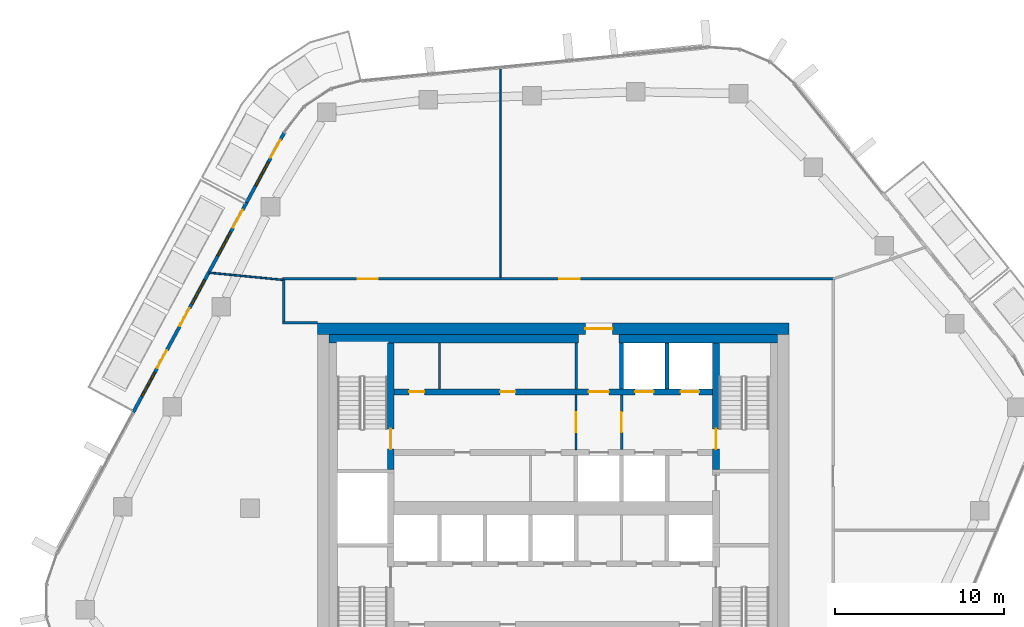
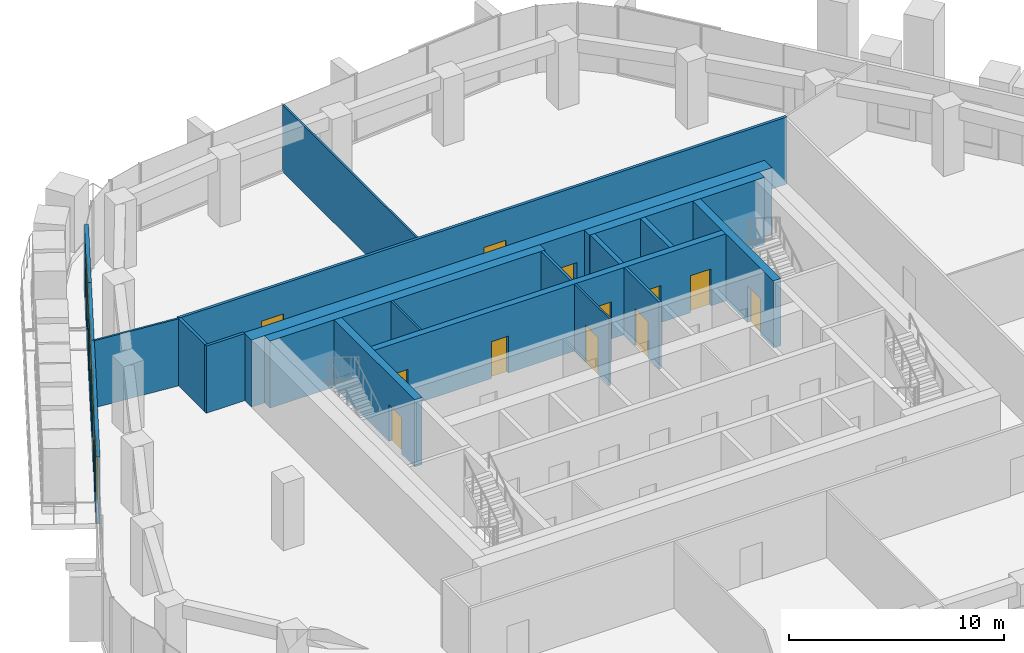
# One storey, part 13 of 20: 19 walls, 16 doors, 4 windows, 20 openings.
"""IFC4 building model written with IfcOpenShell, lengths in metres."""

from ifc_helpers import new_model, si_unit, direction, frame, frame_2d, origin, place, context, subcontext, project, spatial, rectangle, extrude, material, layer, layer_set, type_object, element, fill, save


model = new_model("IFC4")

# Units and contexts
model_context = context("Model", 3, precision=1e-05, world=origin(), true_north=direction((0.0, 1.0)))
body_context = subcontext(model_context, "Body", "Model", "MODEL_VIEW")
ifc_project = project(units=[si_unit("LENGTHUNIT", "METRE"), si_unit("AREAUNIT", "SQUARE_METRE"), si_unit("VOLUMEUNIT", "CUBIC_METRE"), si_unit("PLANEANGLEUNIT", "RADIAN"), si_unit("MASSUNIT", "GRAM", prefix="KILO")], contexts=[model_context])

# Site, building, storey
site_placement = place(None, origin())
site = spatial("IfcSite", under=ifc_project, at=site_placement, CompositionType="ELEMENT")
building_placement = place(site_placement, origin())
building = spatial("IfcBuilding", under=site, at=building_placement, Name="Dongbaek Canopy Tower", CompositionType="ELEMENT")
storey_placement = place(building_placement, frame((0.0, 0.0, 262.199951171875)))
storey = spatial("IfcBuildingStorey", under=building, at=storey_placement, Name="L55", CompositionType="ELEMENT", Elevation=262.199951171875)

# Wall, openings, doors
ifc_material_1 = material(Name="Concrete C60/75", Category="concrete")
ifc_layer_1 = layer(ifc_material_1, 0.35009765625)
ifc_layer_set_1 = layer_set([ifc_layer_1], Name="Core lobby wall 350 Concrete C60/75")
wall_type_1 = type_object("IfcWallType", Name="Core lobby wall 350 Concrete C60/75", PredefinedType="SHEAR", material=ifc_layer_set_1)
wall_1_placement = place(storey_placement, frame((-9.449951171875, 6.89990234375, 0.0), z_axis=(0.0, 0.0, 1.0), x_axis=(1.0, 0.0, 0.0)))
wall_1 = element("IfcWall", 1, at=wall_1_placement, inside=storey, type_object=wall_type_1, Name="Core wall", PredefinedType="SHEAR", context=body_context, shape_type="SweptSolid", body=[
    extrude(rectangle(XDim=18.89990234375, YDim=0.35009765625, at=frame_2d((9.449951171875, 0.0))), origin(), (0.0, 0.0, 1.0), 3.820068359375),
])
opening_1_placement = place(wall_1_placement, frame((11.550048828125, 0.0, 0.0)))
opening_1 = element("IfcOpeningElement", 2, at=opening_1_placement, cuts=wall_1, Name="Opening L55-D010", PredefinedType="OPENING", context=body_context, shape_type="SweptSolid", body=[
    extrude(rectangle(XDim=1.199951171875, YDim=2.10009765625, at=frame_2d((0.60009765625, 1.050048828125))), frame((0.0, 0.18505859375, 0.0), z_axis=(0.0, -1.0, 0.0), x_axis=(1.0, 0.0, 0.0)), (0.0, 0.0, 1.0), 0.3701171875),
])
opening_2_placement = place(wall_1_placement, frame((14.300048828125, 0.0, 0.0)))
opening_2 = element("IfcOpeningElement", 3, at=opening_2_placement, cuts=wall_1, Name="Opening L55-D011", PredefinedType="OPENING", context=body_context, shape_type="SweptSolid", body=[
    extrude(rectangle(XDim=1.10009765625, YDim=2.10009765625, at=frame_2d((0.550048828125, 1.050048828125))), frame((0.0, 0.18505859375, 0.0), z_axis=(0.0, -1.0, 0.0), x_axis=(1.0, 0.0, 0.0)), (0.0, 0.0, 1.0), 0.3701171875),
])
opening_3_placement = place(wall_1_placement, frame((17.0, 0.0, 0.0)))
opening_3 = element("IfcOpeningElement", 4, at=opening_3_placement, cuts=wall_1, Name="Opening L55-D012", PredefinedType="OPENING", context=body_context, shape_type="SweptSolid", body=[
    extrude(rectangle(XDim=1.10009765625, YDim=2.10009765625, at=frame_2d((0.550048828125, 1.050048828125))), frame((0.0, 0.18505859375, 0.0), z_axis=(0.0, -1.0, 0.0), x_axis=(1.0, 0.0, 0.0)), (0.0, 0.0, 1.0), 0.3701171875),
])
opening_4_placement = place(wall_1_placement, frame((0.89990234375, 0.0, 0.0)))
opening_4 = element("IfcOpeningElement", 5, at=opening_4_placement, cuts=wall_1, Name="Opening L55-D023", PredefinedType="OPENING", context=body_context, shape_type="SweptSolid", body=[
    extrude(rectangle(XDim=0.89990234375, YDim=2.10009765625, at=frame_2d((0.449951171875, 1.050048828125))), frame((0.0, 0.18505859375, 0.0), z_axis=(0.0, -1.0, 0.0), x_axis=(1.0, 0.0, 0.0)), (0.0, 0.0, 1.0), 0.3701171875),
])
opening_5_placement = place(wall_1_placement, frame((6.300048828125, 0.0, 0.0)))
opening_5 = element("IfcOpeningElement", 6, at=opening_5_placement, cuts=wall_1, Name="Opening L55-D024", PredefinedType="OPENING", context=body_context, shape_type="SweptSolid", body=[
    extrude(rectangle(XDim=0.89990234375, YDim=2.10009765625, at=frame_2d((0.449951171875, 1.050048828125))), frame((0.0, 0.18505859375, 0.0), z_axis=(0.0, -1.0, 0.0), x_axis=(1.0, 0.0, 0.0)), (0.0, 0.0, 1.0), 0.3701171875),
])
ifc_material_2 = material(Name="Steel", Category="steel")
door_type_1 = type_object("IfcDoorType", Name="Core room door 900 x 2100", OperationType="SINGLE_SWING_LEFT", PredefinedType="DOOR", material=ifc_material_2)
door_1_placement = place(opening_4_placement, origin())
door_1 = element("IfcDoor", 7, at=door_1_placement, inside=storey, type_object=door_type_1, Name="Door L55-D023", OperationType="SINGLE_SWING_RIGHT", OverallHeight=2.10009765625, OverallWidth=0.89990234375, PredefinedType="DOOR", context=body_context, shape_type="SweptSolid", body=[
    extrude(rectangle(XDim=0.89990234375, YDim=2.10009765625, at=frame_2d((0.449951171875, 1.050048828125))), frame((0.0, 0.02490234375, 0.0), z_axis=(0.0, -1.0, 0.0), x_axis=(1.0, 0.0, 0.0)), (0.0, 0.0, 1.0), 0.050048828125),
])
fill(opening_4, door_1)
door_2_placement = place(opening_5_placement, origin())
door_2 = element("IfcDoor", 8, at=door_2_placement, inside=storey, type_object=door_type_1, Name="Door L55-D024", OperationType="SINGLE_SWING_LEFT", OverallHeight=2.10009765625, OverallWidth=0.89990234375, PredefinedType="DOOR", context=body_context, shape_type="SweptSolid", body=[
    extrude(rectangle(XDim=0.89990234375, YDim=2.10009765625, at=frame_2d((0.449951171875, 1.050048828125))), frame((0.0, 0.02490234375, 0.0), z_axis=(0.0, -1.0, 0.0), x_axis=(1.0, 0.0, 0.0)), (0.0, 0.0, 1.0), 0.050048828125),
])
fill(opening_5, door_2)
ifc_material_3 = material(Name="Steel", Category="steel")
door_type_2 = type_object("IfcDoorType", Name="Fire lobby door 1200 x 2100", OperationType="SINGLE_SWING_LEFT", PredefinedType="DOOR", material=ifc_material_3)
door_3_placement = place(opening_1_placement, origin())
door_3 = element("IfcDoor", 9, at=door_3_placement, inside=storey, type_object=door_type_2, Name="Door L55-D010", OperationType="SINGLE_SWING_LEFT", OverallHeight=2.10009765625, OverallWidth=1.199951171875, PredefinedType="DOOR", context=body_context, shape_type="SweptSolid", body=[
    extrude(rectangle(XDim=1.199951171875, YDim=2.10009765625, at=frame_2d((0.60009765625, 1.050048828125))), frame((0.0, 0.02490234375, 0.0), z_axis=(0.0, -1.0, 0.0), x_axis=(1.0, 0.0, 0.0)), (0.0, 0.0, 1.0), 0.050048828125),
])
fill(opening_1, door_3)
ifc_material_4 = material(Name="Stainless steel", Category="steel")
door_type_3 = type_object("IfcDoorType", Name="Lift landing door 1100 x 2100", OperationType="DOUBLE_DOOR_SLIDING", PredefinedType="DOOR", material=ifc_material_4)
door_4_placement = place(opening_2_placement, origin())
door_4 = element("IfcDoor", 10, at=door_4_placement, inside=storey, type_object=door_type_3, Name="Landing door FF1", OperationType="DOUBLE_DOOR_SLIDING", OverallHeight=2.10009765625, OverallWidth=1.10009765625, PredefinedType="DOOR", context=body_context, shape_type="SweptSolid", body=[
    extrude(rectangle(XDim=1.10009765625, YDim=2.10009765625, at=frame_2d((0.550048828125, 1.050048828125))), frame((0.0, 0.02490234375, 0.0), z_axis=(0.0, -1.0, 0.0), x_axis=(1.0, 0.0, 0.0)), (0.0, 0.0, 1.0), 0.050048828125),
])
fill(opening_2, door_4)
door_5_placement = place(opening_3_placement, origin())
door_5 = element("IfcDoor", 11, at=door_5_placement, inside=storey, type_object=door_type_3, Name="Landing door FF2", OperationType="DOUBLE_DOOR_SLIDING", OverallHeight=2.10009765625, OverallWidth=1.10009765625, PredefinedType="DOOR", context=body_context, shape_type="SweptSolid", body=[
    extrude(rectangle(XDim=1.10009765625, YDim=2.10009765625, at=frame_2d((0.550048828125, 1.050048828125))), frame((0.0, 0.02490234375, 0.0), z_axis=(0.0, -1.0, 0.0), x_axis=(1.0, 0.0, 0.0)), (0.0, 0.0, 1.0), 0.050048828125),
])
fill(opening_3, door_5)

# Wall, opening, door
ifc_material_5 = material(Name="Concrete C70/85", Category="concrete")
ifc_layer_2 = layer(ifc_material_5, 0.699951171875)
ifc_layer_set_2 = layer_set([ifc_layer_2], Name="Core outer wall 700 Concrete C70/85")
wall_type_2 = type_object("IfcWallType", Name="Core outer wall 700 Concrete C70/85", PredefinedType="SHEAR", material=ifc_layer_set_2)
wall_2_placement = place(storey_placement, frame((-14.0, 10.64990234375, 0.0), z_axis=(0.0, 0.0, 1.0), x_axis=(1.0, 0.0, 0.0)))
wall_2 = element("IfcWall", 12, at=wall_2_placement, inside=storey, type_object=wall_type_2, Name="Core wall", PredefinedType="SHEAR", context=body_context, shape_type="SweptSolid", body=[
    extrude(rectangle(XDim=28.0, YDim=0.699951171875, at=frame_2d((14.0, 0.0))), origin(), (0.0, 0.0, 1.0), 3.820068359375),
])
opening_6_placement = place(wall_2_placement, frame((15.89990234375, 0.0, 0.0)))
opening_6 = element("IfcOpeningElement", 13, at=opening_6_placement, cuts=wall_2, Name="Opening L55-D009", PredefinedType="OPENING", context=body_context, shape_type="SweptSolid", body=[
    extrude(rectangle(XDim=1.60009765625, YDim=2.10009765625, at=frame_2d((0.800048828125, 1.050048828125))), frame((0.0, 0.35986328125, 0.0), z_axis=(0.0, -1.0, 0.0), x_axis=(1.0, 0.0, 0.0)), (0.0, 0.0, 1.0), 0.719970703125),
])
ifc_material_6 = material(Name="Steel", Category="steel")
door_type_4 = type_object("IfcDoorType", Name="Core exit door 1600 x 2100", OperationType="DOUBLE_DOOR_SINGLE_SWING", PredefinedType="DOOR", material=ifc_material_6)
door_6_placement = place(opening_6_placement, origin())
door_6 = element("IfcDoor", 14, at=door_6_placement, inside=storey, type_object=door_type_4, Name="Core exit door", OperationType="DOUBLE_DOOR_SINGLE_SWING", OverallHeight=2.10009765625, OverallWidth=1.60009765625, PredefinedType="DOOR", context=body_context, shape_type="SweptSolid", body=[
    extrude(rectangle(XDim=1.60009765625, YDim=2.10009765625, at=frame_2d((0.800048828125, 1.050048828125))), frame((0.0, 0.02490234375, 0.0), z_axis=(0.0, -1.0, 0.0), x_axis=(1.0, 0.0, 0.0)), (0.0, 0.0, 1.0), 0.050048828125),
])
fill(opening_6, door_6)

# Walls
ifc_material_7 = material(Name="Concrete C60/75", Category="concrete")
ifc_layer_3 = layer(ifc_material_7, 0.5)
ifc_layer_set_3 = layer_set([ifc_layer_3], Name="Core wall lining 500 Concrete C60/75")
wall_type_3 = type_object("IfcWallType", Name="Core wall lining 500 Concrete C60/75", PredefinedType="SHEAR", material=ifc_layer_set_3)
wall_3_placement = place(storey_placement, frame((-13.300048828125, 10.050048828125, 0.0), z_axis=(0.0, 0.0, 1.0), x_axis=(1.0, 0.0, 0.0)))
element("IfcWall", 15, at=wall_3_placement, inside=storey, type_object=wall_type_3, Name="Core wall lining", PredefinedType="SHEAR", context=body_context, shape_type="SweptSolid", body=[
    extrude(rectangle(XDim=14.800048828125, YDim=0.5, at=frame_2d((7.39990234375, 0.0))), origin(), (0.0, 0.0, 1.0), 3.820068359375),
])
wall_4_placement = place(storey_placement, frame((3.89990234375, 10.050048828125, 0.0), z_axis=(0.0, 0.0, 1.0), x_axis=(1.0, 0.0, 0.0)))
element("IfcWall", 16, at=wall_4_placement, inside=storey, type_object=wall_type_3, Name="Core wall lining", PredefinedType="SHEAR", context=body_context, shape_type="SweptSolid", body=[
    extrude(rectangle(XDim=9.400146484375, YDim=0.5, at=frame_2d((4.7001953125, 0.0))), origin(), (0.0, 0.0, 1.0), 3.820068359375),
])
ifc_material_8 = material(Name="Gypsum board partition, steel stud, 2 x 15 mm fire board", Category="steel")
ifc_layer_4 = layer(ifc_material_8, 0.14990234375)
ifc_layer_set_4 = layer_set([ifc_layer_4], Name="Fire-rated partition 150 gypsum board")
wall_type_4 = type_object("IfcWallType", Name="Fire-rated partition 150 gypsum board", PredefinedType="PARTITIONING", material=ifc_layer_set_4)
wall_5_placement = place(storey_placement, frame((-16.074951171875, 10.9990234375, 0.0), z_axis=(0.0, 0.0, 1.0), x_axis=(1.0, 0.0, 0.0)))
element("IfcWall", 17, at=wall_5_placement, inside=storey, type_object=wall_type_4, Name="Corridor partition", PredefinedType="PARTITIONING", context=body_context, shape_type="SweptSolid", body=[
    extrude(rectangle(XDim=2.074951171875, YDim=0.14990234375, at=frame_2d((1.03759765625, 0.0))), origin(), (0.0, 0.0, 1.0), 3.820068359375),
])

# Wall, openings, doors
wall_6_placement = place(storey_placement, frame((-16.074951171875, 13.60009765625, 0.0), z_axis=(0.0, 0.0, 1.0), x_axis=(1.0, 0.0, 0.0)))
wall_6 = element("IfcWall", 18, at=wall_6_placement, inside=storey, type_object=wall_type_4, Name="Corridor partition", PredefinedType="PARTITIONING", context=body_context, shape_type="SweptSolid", body=[
    extrude(rectangle(XDim=32.75, YDim=0.14990234375, at=frame_2d((16.375, 0.0))), origin(), (0.0, 0.0, 1.0), 3.820068359375),
])
opening_7_placement = place(wall_6_placement, frame((16.43017578125, 0.0, 0.0)))
opening_7 = element("IfcOpeningElement", 19, at=opening_7_placement, cuts=wall_6, Name="Opening L55-D006", PredefinedType="OPENING", context=body_context, shape_type="SweptSolid", body=[
    extrude(rectangle(XDim=1.199951171875, YDim=2.10009765625, at=frame_2d((0.60009765625, 1.050048828125))), frame((0.0, 0.0849609375, 0.0), z_axis=(0.0, -1.0, 0.0), x_axis=(1.0, 0.0, 0.0)), (0.0, 0.0, 1.0), 0.169921875),
])
opening_8_placement = place(wall_6_placement, frame((4.465087890625, 0.0, 0.0)))
opening_8 = element("IfcOpeningElement", 20, at=opening_8_placement, cuts=wall_6, Name="Opening L55-D007", PredefinedType="OPENING", context=body_context, shape_type="SweptSolid", body=[
    extrude(rectangle(XDim=1.199951171875, YDim=2.10009765625, at=frame_2d((0.60009765625, 1.050048828125))), frame((0.0, 0.0849609375, 0.0), z_axis=(0.0, -1.0, 0.0), x_axis=(1.0, 0.0, 0.0)), (0.0, 0.0, 1.0), 0.169921875),
])
ifc_material_9 = material(Name="Timber veneered door leaf", Category="wood")
door_type_5 = type_object("IfcDoorType", Name="Room door 1200 x 2100", OperationType="SINGLE_SWING_LEFT", PredefinedType="DOOR", material=ifc_material_9)
door_7_placement = place(opening_7_placement, origin())
door_7 = element("IfcDoor", 21, at=door_7_placement, inside=storey, type_object=door_type_5, Name="Door L55-D006", OperationType="SINGLE_SWING_LEFT", OverallHeight=2.10009765625, OverallWidth=1.199951171875, PredefinedType="DOOR", context=body_context, shape_type="SweptSolid", body=[
    extrude(rectangle(XDim=1.199951171875, YDim=2.10009765625, at=frame_2d((0.60009765625, 1.050048828125))), frame((0.0, 0.02490234375, 0.0), z_axis=(0.0, -1.0, 0.0), x_axis=(1.0, 0.0, 0.0)), (0.0, 0.0, 1.0), 0.050048828125),
])
fill(opening_7, door_7)
door_8_placement = place(opening_8_placement, origin())
door_8 = element("IfcDoor", 22, at=door_8_placement, inside=storey, type_object=door_type_5, Name="Door L55-D007", OperationType="SINGLE_SWING_RIGHT", OverallHeight=2.10009765625, OverallWidth=1.199951171875, PredefinedType="DOOR", context=body_context, shape_type="SweptSolid", body=[
    extrude(rectangle(XDim=1.199951171875, YDim=2.10009765625, at=frame_2d((0.60009765625, 1.050048828125))), frame((0.0, 0.02490234375, 0.0), z_axis=(0.0, -1.0, 0.0), x_axis=(1.0, 0.0, 0.0)), (0.0, 0.0, 1.0), 0.050048828125),
])
fill(opening_8, door_8)

# Wall
wall_7_placement = place(storey_placement, frame((-16.0, 11.073974609375, 0.0), z_axis=(0.0, 0.0, 1.0), x_axis=(0.0, 1.0, 0.0)))
element("IfcWall", 23, at=wall_7_placement, inside=storey, type_object=wall_type_4, Name="Corridor partition", PredefinedType="PARTITIONING", context=body_context, shape_type="SweptSolid", body=[
    extrude(rectangle(XDim=2.450927734375, YDim=0.14990234375, at=frame_2d((1.2255859375, 0.0))), origin(), (0.0, 0.0, 1.0), 3.820068359375),
])

# Wall, opening, door
wall_8_placement = place(storey_placement, frame((4.050048828125, 6.72509765625, 0.0), z_axis=(0.0, 0.0, 1.0), x_axis=(0.0, -1.0, 0.0)))
wall_8 = element("IfcWall", 24, at=wall_8_placement, inside=storey, type_object=wall_type_4, Name="Fire lobby partition", PredefinedType="PARTITIONING", context=body_context, shape_type="SweptSolid", body=[
    extrude(rectangle(XDim=3.25, YDim=0.14990234375, at=frame_2d((1.625, 0.0))), origin(), (0.0, 0.0, 1.0), 3.820068359375),
])
opening_9_placement = place(wall_8_placement, frame((1.02490234375, 0.0, 0.0)))
opening_9 = element("IfcOpeningElement", 25, at=opening_9_placement, cuts=wall_8, Name="Opening L55-D036", PredefinedType="OPENING", context=body_context, shape_type="SweptSolid", body=[
    extrude(rectangle(XDim=1.199951171875, YDim=2.10009765625, at=frame_2d((0.60009765625, 1.050048828125))), frame((0.0, 0.0849609375, 0.0), z_axis=(0.0, -1.0, 0.0), x_axis=(1.0, 0.0, 0.0)), (0.0, 0.0, 1.0), 0.169921875),
])
door_9_placement = place(opening_9_placement, origin())
door_9 = element("IfcDoor", 26, at=door_9_placement, inside=storey, type_object=door_type_2, Name="Door L55-D036", OperationType="SINGLE_SWING_RIGHT", OverallHeight=2.10009765625, OverallWidth=1.199951171875, PredefinedType="DOOR", context=body_context, shape_type="SweptSolid", body=[
    extrude(rectangle(XDim=1.199951171875, YDim=2.10009765625, at=frame_2d((0.60009765625, 1.050048828125))), frame((0.0, 0.02490234375, 0.0), z_axis=(0.0, -1.0, 0.0), x_axis=(1.0, 0.0, 0.0)), (0.0, 0.0, 1.0), 0.050048828125),
])
fill(opening_9, door_9)

# Walls
wall_9_placement = place(storey_placement, frame((1.35009765625, 7.074951171875, 0.0), z_axis=(0.0, 0.0, 1.0), x_axis=(0.0, 1.0, 0.0)))
element("IfcWall", 27, at=wall_9_placement, inside=storey, type_object=wall_type_4, Name="Fire lobby partition", PredefinedType="PARTITIONING", context=body_context, shape_type="SweptSolid", body=[
    extrude(rectangle(XDim=2.72509765625, YDim=0.14990234375, at=frame_2d((1.362548828125, 0.0))), origin(), (0.0, 0.0, 1.0), 3.820068359375),
])
ifc_material_10 = material(Name="Concrete C40/50", Category="concrete")
ifc_layer_5 = layer(ifc_material_10, 0.25)
ifc_layer_set_5 = layer_set([ifc_layer_5], Name="Lift shaft wall 250 Concrete C40/50")
wall_type_5 = type_object("IfcWallType", Name="Lift shaft wall 250 Concrete C40/50", PredefinedType="SOLIDWALL", material=ifc_layer_set_5)
for number, where, z_axis, x_axis, name in (
    (28, (6.75, 7.074951171875, 0.0), (0.0, 0.0, 1.0), (0.0, 1.0, 0.0), "Lift shaft wall"),
    (29, (4.050048828125, 7.074951171875, 0.0), (0.0, 0.0, 1.0), (0.0, 1.0, 0.0), "Lift shaft wall"),
):
    element("IfcWall", number, at=place(storey_placement, frame(where, z_axis=z_axis, x_axis=x_axis)), inside=storey, type_object=wall_type_5, Name=name, PredefinedType="SOLIDWALL", context=body_context, shape_type="SweptSolid", body=[
        extrude(rectangle(XDim=2.72509765625, YDim=0.25, at=frame_2d((1.362548828125, 0.0))), origin(), (0.0, 0.0, 1.0), 3.820068359375),
    ])
ifc_material_11 = material(Name="Gypsum board partition, steel stud, 2 x 12.5 mm board", Category="steel")
ifc_layer_6 = layer(ifc_material_11, 0.10009765625)
ifc_layer_set_6 = layer_set([ifc_layer_6], Name="Partition 100 gypsum board")
wall_type_6 = type_object("IfcWallType", Name="Partition 100 gypsum board", PredefinedType="PARTITIONING", material=ifc_layer_set_6)
wall_10_placement = place(storey_placement, frame((-3.14111328125, 13.675048828125, 0.0), z_axis=(0.0, 0.0, 1.0), x_axis=(0.0, 1.0, 0.0)))
element("IfcWall", 30, at=wall_10_placement, inside=storey, type_object=wall_type_6, Name="Partition", PredefinedType="PARTITIONING", context=body_context, shape_type="SweptSolid", body=[
    extrude(rectangle(XDim=12.466064453125, YDim=0.10009765625, at=frame_2d((6.23291015625, 0.0))), origin(), (0.0, 0.0, 1.0), 3.820068359375),
])
wall_11_placement = place(storey_placement, frame((-20.4296875, 13.972412109375, 0.0), z_axis=(0.0, 0.0, 1.0), x_axis=(0.995312443594, -0.096711631286, 0.0)))
element("IfcWall", 31, at=wall_11_placement, inside=storey, type_object=wall_type_6, Name="Partition", PredefinedType="PARTITIONING", context=body_context, shape_type="SweptSolid", body=[
    extrude(rectangle(XDim=4.450439453125, YDim=0.10009765625, at=frame_2d((2.22509765625, 0.0))), origin(), (0.0, 0.0, 1.0), 3.820068359375),
])

# Wall, opening, door
wall_12_placement = place(storey_placement, frame((1.35009765625, 6.72509765625, 0.0), z_axis=(0.0, 0.0, 1.0), x_axis=(0.0, -1.0, 0.0)))
wall_12 = element("IfcWall", 32, at=wall_12_placement, inside=storey, type_object=wall_type_6, Name="Core partition", PredefinedType="PARTITIONING", context=body_context, shape_type="SweptSolid", body=[
    extrude(rectangle(XDim=3.25, YDim=0.10009765625, at=frame_2d((1.625, 0.0))), origin(), (0.0, 0.0, 1.0), 3.820068359375),
])
opening_10_placement = place(wall_12_placement, frame((1.02490234375, 0.0, 0.0)))
opening_10 = element("IfcOpeningElement", 33, at=opening_10_placement, cuts=wall_12, Name="Opening L55-D035", PredefinedType="OPENING", context=body_context, shape_type="SweptSolid", body=[
    extrude(rectangle(XDim=1.199951171875, YDim=2.10009765625, at=frame_2d((0.60009765625, 1.050048828125))), frame((0.0, 0.06005859375, 0.0), z_axis=(0.0, -1.0, 0.0), x_axis=(1.0, 0.0, 0.0)), (0.0, 0.0, 1.0), 0.1201171875),
])
door_10_placement = place(opening_10_placement, origin())
door_10 = element("IfcDoor", 34, at=door_10_placement, inside=storey, type_object=door_type_2, Name="Door L55-D035", OperationType="SINGLE_SWING_LEFT", OverallHeight=2.10009765625, OverallWidth=1.199951171875, PredefinedType="DOOR", context=body_context, shape_type="SweptSolid", body=[
    extrude(rectangle(XDim=1.199951171875, YDim=2.10009765625, at=frame_2d((0.60009765625, 1.050048828125))), frame((0.0, 0.02490234375, 0.0), z_axis=(0.0, -1.0, 0.0), x_axis=(1.0, 0.0, 0.0)), (0.0, 0.0, 1.0), 0.050048828125),
])
fill(opening_10, door_10)

# Wall
wall_13_placement = place(storey_placement, frame((-6.75, 7.074951171875, 0.0), z_axis=(0.0, 0.0, 1.0), x_axis=(0.0, 1.0, 0.0)))
element("IfcWall", 35, at=wall_13_placement, inside=storey, type_object=wall_type_6, Name="Core partition", PredefinedType="PARTITIONING", context=body_context, shape_type="SweptSolid", body=[
    extrude(rectangle(XDim=2.72509765625, YDim=0.10009765625, at=frame_2d((1.362548828125, 0.0))), origin(), (0.0, 0.0, 1.0), 3.820068359375),
])

# Wall, opening, door
ifc_material_12 = material(Name="Concrete C60/75", Category="concrete")
ifc_layer_7 = layer(ifc_material_12, 0.39990234375)
ifc_layer_set_7 = layer_set([ifc_layer_7], Name="Stair wall 400 Concrete C60/75")
wall_type_7 = type_object("IfcWallType", Name="Stair wall 400 Concrete C60/75", PredefinedType="SHEAR", material=ifc_layer_set_7)
wall_14_placement = place(storey_placement, frame((9.64990234375, 9.800048828125, 0.0), z_axis=(0.0, 0.0, 1.0), x_axis=(0.0, -1.0, 0.0)))
wall_14 = element("IfcWall", 36, at=wall_14_placement, inside=storey, type_object=wall_type_7, Name="Stair wall", PredefinedType="SHEAR", context=body_context, shape_type="SweptSolid", body=[
    extrude(rectangle(XDim=7.5, YDim=0.39990234375, at=frame_2d((3.75, 0.0))), origin(), (0.0, 0.0, 1.0), 3.820068359375),
])
opening_11_placement = place(wall_14_placement, frame((5.10009765625, 0.0, 0.0)))
opening_11 = element("IfcOpeningElement", 37, at=opening_11_placement, cuts=wall_14, Name="Opening L55-D031", PredefinedType="OPENING", context=body_context, shape_type="SweptSolid", body=[
    extrude(rectangle(XDim=1.199951171875, YDim=2.10009765625, at=frame_2d((0.60009765625, 1.050048828125))), frame((0.0, 0.2099609375, 0.0), z_axis=(0.0, -1.0, 0.0), x_axis=(1.0, 0.0, 0.0)), (0.0, 0.0, 1.0), 0.419921875),
])
ifc_material_13 = material(Name="Steel", Category="steel")
door_type_6 = type_object("IfcDoorType", Name="Stair door 1200 x 2100", OperationType="SINGLE_SWING_LEFT", PredefinedType="DOOR", material=ifc_material_13)
door_11_placement = place(opening_11_placement, origin())
door_11 = element("IfcDoor", 38, at=door_11_placement, inside=storey, type_object=door_type_6, Name="Stair A door", OperationType="SINGLE_SWING_LEFT", OverallHeight=2.10009765625, OverallWidth=1.199951171875, PredefinedType="DOOR", context=body_context, shape_type="SweptSolid", body=[
    extrude(rectangle(XDim=1.199951171875, YDim=2.10009765625, at=frame_2d((0.60009765625, 1.050048828125))), frame((0.0, 0.02490234375, 0.0), z_axis=(0.0, -1.0, 0.0), x_axis=(1.0, 0.0, 0.0)), (0.0, 0.0, 1.0), 0.050048828125),
])
fill(opening_11, door_11)

wall_15_placement = place(storey_placement, frame((-9.64990234375, 2.300048828125, 0.0), z_axis=(0.0, 0.0, 1.0), x_axis=(0.0, 1.0, 0.0)))
wall_15 = element("IfcWall", 39, at=wall_15_placement, inside=storey, type_object=wall_type_7, Name="Stair wall", PredefinedType="SHEAR", context=body_context, shape_type="SweptSolid", body=[
    extrude(rectangle(XDim=7.5, YDim=0.39990234375, at=frame_2d((3.75, 0.0))), origin(), (0.0, 0.0, 1.0), 3.820068359375),
])
opening_12_placement = place(wall_15_placement, frame((1.199951171875, 0.0, 0.0)))
opening_12 = element("IfcOpeningElement", 40, at=opening_12_placement, cuts=wall_15, Name="Opening L55-D032", PredefinedType="OPENING", context=body_context, shape_type="SweptSolid", body=[
    extrude(rectangle(XDim=1.199951171875, YDim=2.10009765625, at=frame_2d((0.60009765625, 1.050048828125))), frame((0.0, 0.2099609375, 0.0), z_axis=(0.0, -1.0, 0.0), x_axis=(1.0, 0.0, 0.0)), (0.0, 0.0, 1.0), 0.419921875),
])
door_12_placement = place(opening_12_placement, origin())
door_12 = element("IfcDoor", 41, at=door_12_placement, inside=storey, type_object=door_type_6, Name="Stair C door", OperationType="SINGLE_SWING_RIGHT", OverallHeight=2.10009765625, OverallWidth=1.199951171875, PredefinedType="DOOR", context=body_context, shape_type="SweptSolid", body=[
    extrude(rectangle(XDim=1.199951171875, YDim=2.10009765625, at=frame_2d((0.60009765625, 1.050048828125))), frame((0.0, 0.02490234375, 0.0), z_axis=(0.0, -1.0, 0.0), x_axis=(1.0, 0.0, 0.0)), (0.0, 0.0, 1.0), 0.050048828125),
])
fill(opening_12, door_12)

# Wall, openings, doors, windows
ifc_material_14 = material(Name="Aluminium window wall", Category="aluminium")
ifc_layer_8 = layer(ifc_material_14, 0.199951171875)
ifc_layer_set_8 = layer_set([ifc_layer_8], Name="Window wall 200")
wall_type_8 = type_object("IfcWallType", Name="Window wall 200", PredefinedType="SOLIDWALL", material=ifc_layer_set_8)
wall_16_placement = place(storey_placement, frame((-18.20361328125, 18.13623046875, 0.0), z_axis=(0.0, 0.0, 1.0), x_axis=(-0.475207525375, -0.87987374539, 0.0)))
wall_16 = element("IfcWall", 42, at=wall_16_placement, inside=storey, type_object=wall_type_8, Name="Window wall L55 2", PredefinedType="SOLIDWALL", context=body_context, shape_type="SweptSolid", body=[
    extrude(rectangle(XDim=14.18994140625, YDim=0.199951171875, at=frame_2d((7.094970703125, 0.0))), origin(), (0.0, 0.0, 1.0), 3.820068359375),
])
opening_13_placement = place(wall_16_placement, frame((2.0, 0.0, 0.60009765625)))
opening_13 = element("IfcOpeningElement", 43, at=opening_13_placement, cuts=wall_16, Name="Opening W1", PredefinedType="OPENING", context=body_context, shape_type="SweptSolid", body=[
    extrude(rectangle(XDim=1.60009765625, YDim=2.39990234375, at=frame_2d((0.800048828125, 1.199951171875))), frame((0.0, 0.10986328125, 0.0), z_axis=(0.0, -1.0, 0.0), x_axis=(1.0, 0.0, 0.0)), (0.0, 0.0, 1.0), 0.219970703125),
])
opening_14_placement = place(wall_16_placement, frame((0.5, 0.0, 0.0)))
opening_14 = element("IfcOpeningElement", 44, at=opening_14_placement, cuts=wall_16, Name="Opening L55-B04", PredefinedType="OPENING", context=body_context, shape_type="SweptSolid", body=[
    extrude(rectangle(XDim=1.199951171875, YDim=2.39990234375, at=frame_2d((0.60009765625, 1.199951171875))), frame((0.0, 0.10986328125, 0.0), z_axis=(0.0, -1.0, 0.0), x_axis=(1.0, 0.0, 0.0)), (0.0, 0.0, 1.0), 0.219970703125),
])
opening_15_placement = place(wall_16_placement, frame((5.22998046875, 0.0, 0.60009765625)))
opening_15 = element("IfcOpeningElement", 45, at=opening_15_placement, cuts=wall_16, Name="Opening W1", PredefinedType="OPENING", context=body_context, shape_type="SweptSolid", body=[
    extrude(rectangle(XDim=1.60009765625, YDim=2.39990234375, at=frame_2d((0.800048828125, 1.199951171875))), frame((0.0, 0.10986328125, 0.0), z_axis=(0.0, -1.0, 0.0), x_axis=(1.0, 0.0, 0.0)), (0.0, 0.0, 1.0), 0.219970703125),
])
opening_16_placement = place(wall_16_placement, frame((7.130126953125, 0.0, 0.0)))
opening_16 = element("IfcOpeningElement", 46, at=opening_16_placement, cuts=wall_16, Name="Opening L55-B05", PredefinedType="OPENING", context=body_context, shape_type="SweptSolid", body=[
    extrude(rectangle(XDim=1.199951171875, YDim=2.39990234375, at=frame_2d((0.60009765625, 1.199951171875))), frame((0.0, 0.10986328125, 0.0), z_axis=(0.0, -1.0, 0.0), x_axis=(1.0, 0.0, 0.0)), (0.0, 0.0, 1.0), 0.219970703125),
])
opening_17_placement = place(wall_16_placement, frame((11.4599609375, 0.0, 0.60009765625)))
opening_17 = element("IfcOpeningElement", 47, at=opening_17_placement, cuts=wall_16, Name="Opening W1", PredefinedType="OPENING", context=body_context, shape_type="SweptSolid", body=[
    extrude(rectangle(XDim=1.60009765625, YDim=2.39990234375, at=frame_2d((0.800048828125, 1.199951171875))), frame((0.0, 0.10986328125, 0.0), z_axis=(0.0, -1.0, 0.0), x_axis=(1.0, 0.0, 0.0)), (0.0, 0.0, 1.0), 0.219970703125),
])
opening_18_placement = place(wall_16_placement, frame((9.9599609375, 0.0, 0.0)))
opening_18 = element("IfcOpeningElement", 48, at=opening_18_placement, cuts=wall_16, Name="Opening L55-B06", PredefinedType="OPENING", context=body_context, shape_type="SweptSolid", body=[
    extrude(rectangle(XDim=1.199951171875, YDim=2.39990234375, at=frame_2d((0.60009765625, 1.199951171875))), frame((0.0, 0.10986328125, 0.0), z_axis=(0.0, -1.0, 0.0), x_axis=(1.0, 0.0, 0.0)), (0.0, 0.0, 1.0), 0.219970703125),
])
ifc_material_15 = material(Name="Clear glazing in aluminium frame", Category="aluminium")
door_type_7 = type_object("IfcDoorType", Name="Balcony door BD1 1200 x 2400", OperationType="SLIDING_TO_LEFT", PredefinedType="DOOR", material=ifc_material_15)
door_13_placement = place(opening_14_placement, origin())
door_13 = element("IfcDoor", 49, at=door_13_placement, inside=storey, type_object=door_type_7, Name="Balcony door L55-B04", OperationType="SLIDING_TO_LEFT", OverallHeight=2.39990234375, OverallWidth=1.199951171875, PredefinedType="DOOR", context=body_context, shape_type="SweptSolid", body=[
    extrude(rectangle(XDim=1.199951171875, YDim=2.39990234375, at=frame_2d((0.60009765625, 1.199951171875))), frame((0.0, 0.02490234375, 0.0), z_axis=(0.0, -1.0, 0.0), x_axis=(1.0, 0.0, 0.0)), (0.0, 0.0, 1.0), 0.050048828125),
])
fill(opening_14, door_13)
door_14_placement = place(opening_16_placement, origin())
door_14 = element("IfcDoor", 50, at=door_14_placement, inside=storey, type_object=door_type_7, Name="Balcony door L55-B05", OperationType="SLIDING_TO_LEFT", OverallHeight=2.39990234375, OverallWidth=1.199951171875, PredefinedType="DOOR", context=body_context, shape_type="SweptSolid", body=[
    extrude(rectangle(XDim=1.199951171875, YDim=2.39990234375, at=frame_2d((0.60009765625, 1.199951171875))), frame((0.0, 0.02490234375, 0.0), z_axis=(0.0, -1.0, 0.0), x_axis=(1.0, 0.0, 0.0)), (0.0, 0.0, 1.0), 0.050048828125),
])
fill(opening_16, door_14)
door_15_placement = place(opening_18_placement, origin())
door_15 = element("IfcDoor", 51, at=door_15_placement, inside=storey, type_object=door_type_7, Name="Balcony door L55-B06", OperationType="SLIDING_TO_LEFT", OverallHeight=2.39990234375, OverallWidth=1.199951171875, PredefinedType="DOOR", context=body_context, shape_type="SweptSolid", body=[
    extrude(rectangle(XDim=1.199951171875, YDim=2.39990234375, at=frame_2d((0.60009765625, 1.199951171875))), frame((0.0, 0.02490234375, 0.0), z_axis=(0.0, -1.0, 0.0), x_axis=(1.0, 0.0, 0.0)), (0.0, 0.0, 1.0), 0.050048828125),
])
fill(opening_18, door_15)
ifc_material_16 = material(Name="Clear glazing in aluminium frame", Category="aluminium")
window_type = type_object("IfcWindowType", Name="Window W1 1600 x 2400", PartitioningType="SINGLE_PANEL", PredefinedType="WINDOW", material=ifc_material_16)
window_1_placement = place(opening_13_placement, origin())
window_1 = element("IfcWindow", 52, at=window_1_placement, inside=storey, type_object=window_type, Name="Window L55 2.1", OverallHeight=2.39990234375, OverallWidth=1.60009765625, PartitioningType="SINGLE_PANEL", PredefinedType="WINDOW", context=body_context, shape_type="SweptSolid", body=[
    extrude(rectangle(XDim=1.60009765625, YDim=2.39990234375, at=frame_2d((0.800048828125, 1.199951171875))), frame((0.0, 0.030029296875, 0.0), z_axis=(0.0, -1.0, 0.0), x_axis=(1.0, 0.0, 0.0)), (0.0, 0.0, 1.0), 0.06005859375),
])
fill(opening_13, window_1)
window_2_placement = place(opening_15_placement, origin())
window_2 = element("IfcWindow", 53, at=window_2_placement, inside=storey, type_object=window_type, Name="Window L55 2.2", OverallHeight=2.39990234375, OverallWidth=1.60009765625, PartitioningType="SINGLE_PANEL", PredefinedType="WINDOW", context=body_context, shape_type="SweptSolid", body=[
    extrude(rectangle(XDim=1.60009765625, YDim=2.39990234375, at=frame_2d((0.800048828125, 1.199951171875))), frame((0.0, 0.030029296875, 0.0), z_axis=(0.0, -1.0, 0.0), x_axis=(1.0, 0.0, 0.0)), (0.0, 0.0, 1.0), 0.06005859375),
])
fill(opening_15, window_2)
window_3_placement = place(opening_17_placement, origin())
window_3 = element("IfcWindow", 54, at=window_3_placement, inside=storey, type_object=window_type, Name="Window L55 2.3", OverallHeight=2.39990234375, OverallWidth=1.60009765625, PartitioningType="SINGLE_PANEL", PredefinedType="WINDOW", context=body_context, shape_type="SweptSolid", body=[
    extrude(rectangle(XDim=1.60009765625, YDim=2.39990234375, at=frame_2d((0.800048828125, 1.199951171875))), frame((0.0, 0.030029296875, 0.0), z_axis=(0.0, -1.0, 0.0), x_axis=(1.0, 0.0, 0.0)), (0.0, 0.0, 1.0), 0.06005859375),
])
fill(opening_17, window_3)

# Wall, openings, door, window
wall_17_placement = place(storey_placement, frame((-15.959716796875, 22.291015625, 0.0), z_axis=(0.0, 0.0, 1.0), x_axis=(-0.47520015235, -0.879877727418, 0.0)))
wall_17 = element("IfcWall", 55, at=wall_17_placement, inside=storey, type_object=wall_type_8, Name="Window wall L55 6", PredefinedType="SOLIDWALL", context=body_context, shape_type="SweptSolid", body=[
    extrude(rectangle(XDim=4.721923828125, YDim=0.199951171875, at=frame_2d((2.36083984375, 0.0))), origin(), (0.0, 0.0, 1.0), 3.820068359375),
])
opening_19_placement = place(wall_17_placement, frame((2.0, 0.0, 0.60009765625)))
opening_19 = element("IfcOpeningElement", 56, at=opening_19_placement, cuts=wall_17, Name="Opening W1", PredefinedType="OPENING", context=body_context, shape_type="SweptSolid", body=[
    extrude(rectangle(XDim=1.60009765625, YDim=2.39990234375, at=frame_2d((0.800048828125, 1.199951171875))), frame((0.0, 0.10986328125, 0.0), z_axis=(0.0, -1.0, 0.0), x_axis=(1.0, 0.0, 0.0)), (0.0, 0.0, 1.0), 0.219970703125),
])
opening_20_placement = place(wall_17_placement, frame((0.5, 0.0, 0.0)))
opening_20 = element("IfcOpeningElement", 57, at=opening_20_placement, cuts=wall_17, Name="Opening L55-B07", PredefinedType="OPENING", context=body_context, shape_type="SweptSolid", body=[
    extrude(rectangle(XDim=1.199951171875, YDim=2.39990234375, at=frame_2d((0.60009765625, 1.199951171875))), frame((0.0, 0.10986328125, 0.0), z_axis=(0.0, -1.0, 0.0), x_axis=(1.0, 0.0, 0.0)), (0.0, 0.0, 1.0), 0.219970703125),
])
door_16_placement = place(opening_20_placement, origin())
door_16 = element("IfcDoor", 58, at=door_16_placement, inside=storey, type_object=door_type_7, Name="Balcony door L55-B07", OperationType="SLIDING_TO_LEFT", OverallHeight=2.39990234375, OverallWidth=1.199951171875, PredefinedType="DOOR", context=body_context, shape_type="SweptSolid", body=[
    extrude(rectangle(XDim=1.199951171875, YDim=2.39990234375, at=frame_2d((0.60009765625, 1.199951171875))), frame((0.0, 0.02490234375, 0.0), z_axis=(0.0, -1.0, 0.0), x_axis=(1.0, 0.0, 0.0)), (0.0, 0.0, 1.0), 0.050048828125),
])
fill(opening_20, door_16)
window_4_placement = place(opening_19_placement, origin())
window_4 = element("IfcWindow", 59, at=window_4_placement, inside=storey, type_object=window_type, Name="Window L55 6.1", OverallHeight=2.39990234375, OverallWidth=1.60009765625, PartitioningType="SINGLE_PANEL", PredefinedType="WINDOW", context=body_context, shape_type="SweptSolid", body=[
    extrude(rectangle(XDim=1.60009765625, YDim=2.39990234375, at=frame_2d((0.800048828125, 1.199951171875))), frame((0.0, 0.030029296875, 0.0), z_axis=(0.0, -1.0, 0.0), x_axis=(1.0, 0.0, 0.0)), (0.0, 0.0, 1.0), 0.06005859375),
])
fill(opening_19, window_4)

save(model, "model.ifc")
